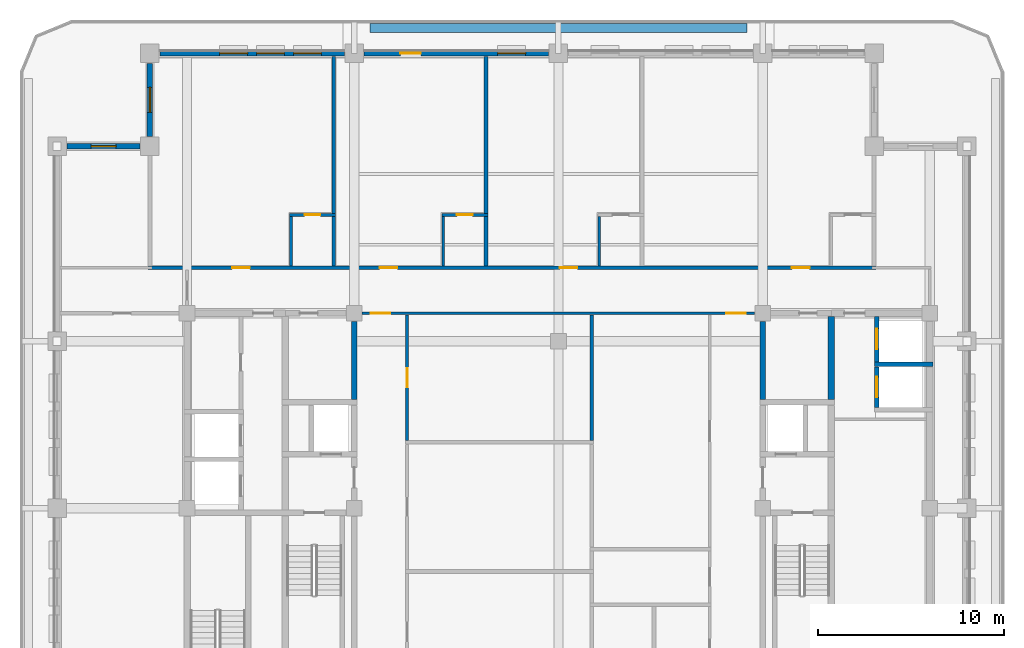
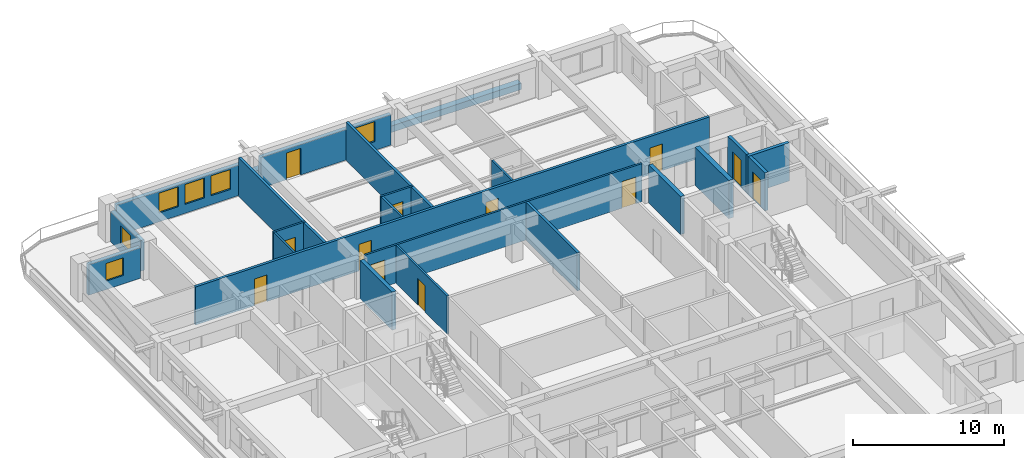
# One storey, part 6 of 14: 24 walls, 12 doors, 6 windows, 18 openings.
"""IFC4 building model written with IfcOpenShell, lengths in metres."""

from ifc_helpers import new_model, si_unit, direction, frame, frame_2d, origin, place, context, subcontext, project, spatial, rectangle, extrude, material, layer, layer_set, type_object, element, fill, save


model = new_model("IFC4")

# Units and contexts
model_context = context("Model", 3, precision=1e-05, world=origin(), true_north=direction((0.0, 1.0)))
body_context = subcontext(model_context, "Body", "Model", "MODEL_VIEW")
ifc_project = project(units=[si_unit("LENGTHUNIT", "METRE"), si_unit("AREAUNIT", "SQUARE_METRE"), si_unit("VOLUMEUNIT", "CUBIC_METRE"), si_unit("PLANEANGLEUNIT", "RADIAN"), si_unit("MASSUNIT", "GRAM", prefix="KILO")], contexts=[model_context])

# Site, building, storey
site_placement = place(None, origin())
site = spatial("IfcSite", under=ifc_project, at=site_placement, CompositionType="ELEMENT")
building_placement = place(site_placement, origin())
building = spatial("IfcBuilding", under=site, at=building_placement, Name="Zulmaris Gate Convention Tower", CompositionType="ELEMENT")
storey_placement = place(building_placement, frame((0.0, 0.0, 208.4599609375)))
storey = spatial("IfcBuildingStorey", under=building, at=storey_placement, Name="L54", CompositionType="ELEMENT", Elevation=208.4599609375)

# Wall
ifc_material_1 = material(Name="Concrete C50/60", Category="concrete")
ifc_layer_1 = layer(ifc_material_1, 0.25, Name="Concrete C50/60")
ifc_layer_set_1 = layer_set([ifc_layer_1], Name="Concrete C50/60")
wall_type_1 = type_object("IfcWallType", Name="CORE-250", PredefinedType="SOLIDWALL", material=ifc_layer_set_1)
wall_1_placement = place(storey_placement, frame((17.02490234375, 7.75, 0.0), z_axis=(0.0, 0.0, 1.0), x_axis=(1.0, 0.0, 0.0)))
element("IfcWall", 1, at=wall_1_placement, inside=storey, type_object=wall_type_1, Name="WL-L54-014", PredefinedType="SOLIDWALL", context=body_context, shape_type="SweptSolid", body=[
    extrude(rectangle(XDim=3.150146484375, YDim=0.25, at=frame_2d((1.5751953125, 0.0))), origin(), (0.0, 0.0, 1.0), 3.074951171875),
])

# Wall, opening, door
wall_2_placement = place(storey_placement, frame((17.14990234375, 5.427001953125, 0.0), z_axis=(0.0, 0.0, 1.0), x_axis=(0.0, 1.0, 0.0)))
wall_2 = element("IfcWall", 2, at=wall_2_placement, inside=storey, type_object=wall_type_1, Name="WL-L54-069", PredefinedType="SOLIDWALL", context=body_context, shape_type="SweptSolid", body=[
    extrude(rectangle(XDim=2.196044921875, YDim=0.25, at=frame_2d((1.09814453125, 0.0))), origin(), (0.0, 0.0, 1.0), 3.074951171875),
])
opening_1_placement = place(wall_2_placement, frame((0.548095703125, 0.0, 0.0)))
opening_1 = element("IfcOpeningElement", 3, at=opening_1_placement, cuts=wall_2, Name="Opening D-06", PredefinedType="OPENING", context=body_context, shape_type="SweptSolid", body=[
    extrude(rectangle(XDim=1.10009765625, YDim=2.199951171875, at=frame_2d((0.550048828125, 1.10009765625))), frame((0.0, 0.135009765625, 0.0), z_axis=(0.0, -1.0, 0.0), x_axis=(1.0, 0.0, 0.0)), (0.0, 0.0, 1.0), 0.27001953125),
])
ifc_material_2 = material(Name="Brushed Stainless Steel", Category="steel")
door_type_1 = type_object("IfcDoorType", Name="LD-1100", OperationType="NOTDEFINED", PredefinedType="DOOR", material=ifc_material_2)
door_1_placement = place(opening_1_placement, origin())
door_1 = element("IfcDoor", 4, at=door_1_placement, inside=storey, type_object=door_type_1, Name="L54 Lift Landing Door HP-01 14", OperationType="SLIDING_TO_RIGHT", OverallHeight=2.199951171875, OverallWidth=1.10009765625, PredefinedType="DOOR", context=body_context, shape_type="SweptSolid", body=[
    extrude(rectangle(XDim=1.10009765625, YDim=2.199951171875, at=frame_2d((0.550048828125, 1.10009765625))), frame((0.0, 0.02490234375, 0.0), z_axis=(0.0, -1.0, 0.0), x_axis=(1.0, 0.0, 0.0)), (0.0, 0.0, 1.0), 0.050048828125),
])
fill(opening_1, door_1)

wall_3_placement = place(storey_placement, frame((17.14990234375, 7.876953125, 0.0), z_axis=(0.0, 0.0, 1.0), x_axis=(0.0, 1.0, 0.0)))
wall_3 = element("IfcWall", 5, at=wall_3_placement, inside=storey, type_object=wall_type_1, Name="WL-L54-070", PredefinedType="SOLIDWALL", context=body_context, shape_type="SweptSolid", body=[
    extrude(rectangle(XDim=2.446044921875, YDim=0.25, at=frame_2d((1.22314453125, 0.0))), origin(), (0.0, 0.0, 1.0), 3.074951171875),
])
opening_2_placement = place(wall_3_placement, frame((0.697998046875, 0.0, 0.0)))
opening_2 = element("IfcOpeningElement", 6, at=opening_2_placement, cuts=wall_3, Name="Opening D-06", PredefinedType="OPENING", context=body_context, shape_type="SweptSolid", body=[
    extrude(rectangle(XDim=1.10009765625, YDim=2.199951171875, at=frame_2d((0.550048828125, 1.10009765625))), frame((0.0, 0.135009765625, 0.0), z_axis=(0.0, -1.0, 0.0), x_axis=(1.0, 0.0, 0.0)), (0.0, 0.0, 1.0), 0.27001953125),
])
door_2_placement = place(opening_2_placement, origin())
door_2 = element("IfcDoor", 7, at=door_2_placement, inside=storey, type_object=door_type_1, Name="L54 Lift Landing Door HP-02 15", OperationType="SLIDING_TO_RIGHT", OverallHeight=2.199951171875, OverallWidth=1.10009765625, PredefinedType="DOOR", context=body_context, shape_type="SweptSolid", body=[
    extrude(rectangle(XDim=1.10009765625, YDim=2.199951171875, at=frame_2d((0.550048828125, 1.10009765625))), frame((0.0, 0.02490234375, 0.0), z_axis=(0.0, -1.0, 0.0), x_axis=(1.0, 0.0, 0.0)), (0.0, 0.0, 1.0), 0.050048828125),
])
fill(opening_2, door_2)

# Walls
ifc_layer_2 = layer(ifc_material_1, 0.300048828125, Name="Concrete C50/60")
ifc_layer_set_2 = layer_set([ifc_layer_2], Name="Concrete C50/60")
wall_type_2 = type_object("IfcWallType", Name="CORE-300", PredefinedType="SHEAR", material=ifc_layer_set_2)
for number, where, z_axis, x_axis, name in (
    (8, (-11.0, 5.85205078125, 0.0), (0.0, 0.0, 1.0), (0.0, 1.0, 0.0), "WL-L54-058"),
    (9, (11.0, 5.85205078125, 0.0), (0.0, 0.0, 1.0), (0.0, 1.0, 0.0), "WL-L54-062"),
):
    element("IfcWall", number, at=place(storey_placement, frame(where, z_axis=z_axis, x_axis=x_axis)), inside=storey, type_object=wall_type_2, Name=name, PredefinedType="SHEAR", context=body_context, shape_type="SweptSolid", body=[
        extrude(rectangle(XDim=4.218994140625, YDim=0.300048828125, at=frame_2d((2.109375, 0.0))), origin(), (0.0, 0.0, 1.0), 3.074951171875),
    ])
ifc_material_3 = material(Name="Concrete C55/67", Category="concrete")
ifc_layer_3 = layer(ifc_material_3, 0.35009765625, Name="Concrete C55/67")
ifc_layer_set_3 = layer_set([ifc_layer_3], Name="Concrete C55/67")
wall_type_3 = type_object("IfcWallType", Name="CORE-350", PredefinedType="SHEAR", material=ifc_layer_set_3)
wall_4_placement = place(storey_placement, frame((14.699951171875, 5.85205078125, 0.0), z_axis=(0.0, 0.0, 1.0), x_axis=(0.0, 1.0, 0.0)))
element("IfcWall", 10, at=wall_4_placement, inside=storey, type_object=wall_type_3, Name="WL-L54-068", PredefinedType="SHEAR", context=body_context, shape_type="SweptSolid", body=[
    extrude(rectangle(XDim=4.470947265625, YDim=0.35009765625, at=frame_2d((2.2353515625, 0.0))), origin(), (0.0, 0.0, 1.0), 3.074951171875),
])

# Wall, openings, doors
ifc_material_4 = material(Name="Gypsum Metal Stud Partition")
ifc_layer_4 = layer(ifc_material_4, 0.14990234375, Name="Gypsum Metal Stud Partition")
ifc_layer_set_4 = layer_set([ifc_layer_4], Name="Gypsum Metal Stud Partition")
wall_type_4 = type_object("IfcWallType", Name="PART-150", PredefinedType="PARTITIONING", material=ifc_layer_set_4)
wall_5_placement = place(storey_placement, frame((-10.569091796875, 10.5, 0.0), z_axis=(0.0, 0.0, 1.0), x_axis=(1.0, 0.0, 0.0)))
wall_5 = element("IfcWall", 11, at=wall_5_placement, inside=storey, type_object=wall_type_4, Name="WL-L54-034", PredefinedType="PARTITIONING", context=body_context, shape_type="SweptSolid", body=[
    extrude(rectangle(XDim=21.13818359375, YDim=0.14990234375, at=frame_2d((10.569091796875, 0.0))), origin(), (0.0, 0.0, 1.0), 3.074951171875),
])
opening_3_placement = place(wall_5_placement, frame((0.47412109375, 0.0, 0.0)))
opening_3 = element("IfcOpeningElement", 12, at=opening_3_placement, cuts=wall_5, Name="Opening D-09", PredefinedType="OPENING", context=body_context, shape_type="SweptSolid", body=[
    extrude(rectangle(XDim=1.050048828125, YDim=2.14990234375, at=frame_2d((0.52490234375, 1.074951171875))), frame((0.0, 0.0849609375, 0.0), z_axis=(0.0, -1.0, 0.0), x_axis=(1.0, 0.0, 0.0)), (0.0, 0.0, 1.0), 0.169921875),
])
opening_4_placement = place(wall_5_placement, frame((19.614013671875, 0.0, 0.0)))
opening_4 = element("IfcOpeningElement", 13, at=opening_4_placement, cuts=wall_5, Name="Opening D-09", PredefinedType="OPENING", context=body_context, shape_type="SweptSolid", body=[
    extrude(rectangle(XDim=1.050048828125, YDim=2.14990234375, at=frame_2d((0.52490234375, 1.074951171875))), frame((0.0, 0.0849609375, 0.0), z_axis=(0.0, -1.0, 0.0), x_axis=(1.0, 0.0, 0.0)), (0.0, 0.0, 1.0), 0.169921875),
])
ifc_material_5 = material(Name="Fire-Rated Steel", Category="steel")
door_type_2 = type_object("IfcDoorType", Name="DR-1050-FD", OperationType="NOTDEFINED", PredefinedType="DOOR", material=ifc_material_5)
door_3_placement = place(opening_3_placement, origin())
door_3 = element("IfcDoor", 14, at=door_3_placement, inside=storey, type_object=door_type_2, Name="L54 NW Hotel Loop Door 18", OperationType="SINGLE_SWING_LEFT", OverallHeight=2.14990234375, OverallWidth=1.050048828125, PredefinedType="DOOR", context=body_context, shape_type="SweptSolid", body=[
    extrude(rectangle(XDim=1.050048828125, YDim=2.14990234375, at=frame_2d((0.52490234375, 1.074951171875))), frame((0.0, 0.02490234375, 0.0), z_axis=(0.0, -1.0, 0.0), x_axis=(1.0, 0.0, 0.0)), (0.0, 0.0, 1.0), 0.050048828125),
])
fill(opening_3, door_3)
door_4_placement = place(opening_4_placement, origin())
door_4 = element("IfcDoor", 15, at=door_4_placement, inside=storey, type_object=door_type_2, Name="L54 NE Hotel Loop Door 20", OperationType="SINGLE_SWING_LEFT", OverallHeight=2.14990234375, OverallWidth=1.050048828125, PredefinedType="DOOR", context=body_context, shape_type="SweptSolid", body=[
    extrude(rectangle(XDim=1.050048828125, YDim=2.14990234375, at=frame_2d((0.52490234375, 1.074951171875))), frame((0.0, 0.02490234375, 0.0), z_axis=(0.0, -1.0, 0.0), x_axis=(1.0, 0.0, 0.0)), (0.0, 0.0, 1.0), 0.050048828125),
])
fill(opening_4, door_4)

# Wall, opening, door
wall_6_placement = place(storey_placement, frame((-14.47509765625, 15.800048828125, 0.0), z_axis=(0.0, 0.0, 1.0), x_axis=(1.0, 0.0, 0.0)))
wall_6 = element("IfcWall", 16, at=wall_6_placement, inside=storey, type_object=wall_type_4, Name="WL-L54-038", PredefinedType="PARTITIONING", context=body_context, shape_type="SweptSolid", body=[
    extrude(rectangle(XDim=2.47509765625, YDim=0.14990234375, at=frame_2d((1.237548828125, 0.0))), origin(), (0.0, 0.0, 1.0), 3.074951171875),
])
opening_5_placement = place(wall_6_placement, frame((0.800048828125, 0.0, 0.0)))
opening_5 = element("IfcOpeningElement", 17, at=opening_5_placement, cuts=wall_6, Name="Opening D-17", PredefinedType="OPENING", context=body_context, shape_type="SweptSolid", body=[
    extrude(rectangle(XDim=0.85009765625, YDim=2.10009765625, at=frame_2d((0.425048828125, 1.050048828125))), frame((0.0, 0.0849609375, 0.0), z_axis=(0.0, -1.0, 0.0), x_axis=(1.0, 0.0, 0.0)), (0.0, 0.0, 1.0), 0.169921875),
])
ifc_material_6 = material(Name="Moisture-Resistant Hardwood Timber", Category="wood")
door_type_3 = type_object("IfcDoorType", Name="DR-850", OperationType="NOTDEFINED", PredefinedType="DOOR", material=ifc_material_6)
door_5_placement = place(opening_5_placement, origin())
door_5 = element("IfcDoor", 18, at=door_5_placement, inside=storey, type_object=door_type_3, Name="L54 En-Suite Door 23", OperationType="SINGLE_SWING_RIGHT", OverallHeight=2.10009765625, OverallWidth=0.85009765625, PredefinedType="DOOR", context=body_context, shape_type="SweptSolid", body=[
    extrude(rectangle(XDim=0.85009765625, YDim=2.10009765625, at=frame_2d((0.425048828125, 1.050048828125))), frame((0.0, 0.02490234375, 0.0), z_axis=(0.0, -1.0, 0.0), x_axis=(1.0, 0.0, 0.0)), (0.0, 0.0, 1.0), 0.050048828125),
])
fill(opening_5, door_5)

wall_7_placement = place(storey_placement, frame((-6.27490234375, 15.800048828125, 0.0), z_axis=(0.0, 0.0, 1.0), x_axis=(1.0, 0.0, 0.0)))
wall_7 = element("IfcWall", 19, at=wall_7_placement, inside=storey, type_object=wall_type_4, Name="WL-L54-039", PredefinedType="PARTITIONING", context=body_context, shape_type="SweptSolid", body=[
    extrude(rectangle(XDim=2.474853515625, YDim=0.14990234375, at=frame_2d((1.2373046875, 0.0))), origin(), (0.0, 0.0, 1.0), 3.074951171875),
])
opening_6_placement = place(wall_7_placement, frame((0.800048828125, 0.0, 0.0)))
opening_6 = element("IfcOpeningElement", 20, at=opening_6_placement, cuts=wall_7, Name="Opening D-17", PredefinedType="OPENING", context=body_context, shape_type="SweptSolid", body=[
    extrude(rectangle(XDim=0.85009765625, YDim=2.10009765625, at=frame_2d((0.425048828125, 1.050048828125))), frame((0.0, 0.0849609375, 0.0), z_axis=(0.0, -1.0, 0.0), x_axis=(1.0, 0.0, 0.0)), (0.0, 0.0, 1.0), 0.169921875),
])
door_6_placement = place(opening_6_placement, origin())
door_6 = element("IfcDoor", 21, at=door_6_placement, inside=storey, type_object=door_type_3, Name="L54 En-Suite Door 25", OperationType="SINGLE_SWING_RIGHT", OverallHeight=2.10009765625, OverallWidth=0.85009765625, PredefinedType="DOOR", context=body_context, shape_type="SweptSolid", body=[
    extrude(rectangle(XDim=0.85009765625, YDim=2.10009765625, at=frame_2d((0.425048828125, 1.050048828125))), frame((0.0, 0.02490234375, 0.0), z_axis=(0.0, -1.0, 0.0), x_axis=(1.0, 0.0, 0.0)), (0.0, 0.0, 1.0), 0.050048828125),
])
fill(opening_6, door_6)

# Wall
wall_8_placement = place(storey_placement, frame((-14.39990234375, 13.052978515625, 0.0), z_axis=(0.0, 0.0, 1.0), x_axis=(0.0, 1.0, 0.0)))
element("IfcWall", 22, at=wall_8_placement, inside=storey, type_object=wall_type_4, Name="WL-L54-083", PredefinedType="PARTITIONING", context=body_context, shape_type="SweptSolid", body=[
    extrude(rectangle(XDim=2.6689453125, YDim=0.14990234375, at=frame_2d((1.33447265625, 0.0))), origin(), (0.0, 0.0, 1.0), 3.074951171875),
])

# Wall, opening, door
wall_9_placement = place(storey_placement, frame((-8.14990234375, 3.653076171875, 0.0), z_axis=(0.0, 0.0, 1.0), x_axis=(0.0, 1.0, 0.0)))
wall_9 = element("IfcWall", 23, at=wall_9_placement, inside=storey, type_object=wall_type_4, Name="WL-L54-091", PredefinedType="PARTITIONING", context=body_context, shape_type="SweptSolid", body=[
    extrude(rectangle(XDim=6.76904296875, YDim=0.14990234375, at=frame_2d((3.384521484375, 0.0))), origin(), (0.0, 0.0, 1.0), 3.074951171875),
])
opening_7_placement = place(wall_9_placement, frame((2.876953125, 0.0, 0.0)))
opening_7 = element("IfcOpeningElement", 24, at=opening_7_placement, cuts=wall_9, Name="Opening D-10", PredefinedType="OPENING", context=body_context, shape_type="SweptSolid", body=[
    extrude(rectangle(XDim=1.0, YDim=2.14990234375, at=frame_2d((0.5, 1.074951171875))), frame((0.0, 0.0849609375, 0.0), z_axis=(0.0, -1.0, 0.0), x_axis=(1.0, 0.0, 0.0)), (0.0, 0.0, 1.0), 0.169921875),
])
ifc_material_7 = material(Name="Fire-Rated Timber", Category="wood")
door_type_4 = type_object("IfcDoorType", Name="DR-1000-FD", OperationType="NOTDEFINED", PredefinedType="DOOR", material=ifc_material_7)
door_7_placement = place(opening_7_placement, origin())
door_7 = element("IfcDoor", 25, at=door_7_placement, inside=storey, type_object=door_type_4, Name="L54 Club Lounge Door 41", OperationType="SINGLE_SWING_RIGHT", OverallHeight=2.14990234375, OverallWidth=1.0, PredefinedType="DOOR", context=body_context, shape_type="SweptSolid", body=[
    extrude(rectangle(XDim=1.0, YDim=2.14990234375, at=frame_2d((0.5, 1.074951171875))), frame((0.0, 0.02490234375, 0.0), z_axis=(0.0, -1.0, 0.0), x_axis=(1.0, 0.0, 0.0)), (0.0, 0.0, 1.0), 0.050048828125),
])
fill(opening_7, door_7)

# Walls
for number, where, z_axis, x_axis, name in (
    (26, (-6.199951171875, 13.052978515625, 0.0), (0.0, 0.0, 1.0), (0.0, 1.0, 0.0), "WL-L54-093"),
    (27, (2.199951171875, 13.052978515625, 0.0), (0.0, 0.0, 1.0), (0.0, 1.0, 0.0), "WL-L54-104"),
):
    element("IfcWall", number, at=place(storey_placement, frame(where, z_axis=z_axis, x_axis=x_axis)), inside=storey, type_object=wall_type_4, Name=name, PredefinedType="PARTITIONING", context=body_context, shape_type="SweptSolid", body=[
        extrude(rectangle(XDim=2.6689453125, YDim=0.14990234375, at=frame_2d((1.33447265625, 0.0))), origin(), (0.0, 0.0, 1.0), 3.074951171875),
    ])

# Wall, openings, doors
ifc_material_8 = material(Name="Autoclaved Aerated Concrete Block and Plasterboard", Category="concrete")
ifc_layer_5 = layer(ifc_material_8, 0.199951171875, Name="Autoclaved Aerated Concrete Block and Plasterboard")
ifc_layer_set_5 = layer_set([ifc_layer_5], Name="Autoclaved Aerated Concrete Block and Plasterboard")
wall_type_5 = type_object("IfcWallType", Name="PART-200", PredefinedType="PARTITIONING", material=ifc_layer_set_5)
wall_10_placement = place(storey_placement, frame((-22.10009765625, 12.949951171875, 0.0), z_axis=(0.0, 0.0, 1.0), x_axis=(1.0, 0.0, 0.0)))
wall_10 = element("IfcWall", 28, at=wall_10_placement, inside=storey, type_object=wall_type_5, Name="WL-L54-036", PredefinedType="PARTITIONING", context=body_context, shape_type="SweptSolid", body=[
    extrude(rectangle(XDim=39.2001953125, YDim=0.199951171875, at=frame_2d((19.60009765625, 0.0))), origin(), (0.0, 0.0, 1.0), 3.074951171875),
])
opening_8_placement = place(wall_10_placement, frame((4.52490234375, 0.0, 0.0)))
opening_8 = element("IfcOpeningElement", 29, at=opening_8_placement, cuts=wall_10, Name="Opening D-11", PredefinedType="OPENING", context=body_context, shape_type="SweptSolid", body=[
    extrude(rectangle(XDim=0.949951171875, YDim=2.14990234375, at=frame_2d((0.47509765625, 1.074951171875))), frame((0.0, 0.10986328125, 0.0), z_axis=(0.0, -1.0, 0.0), x_axis=(1.0, 0.0, 0.0)), (0.0, 0.0, 1.0), 0.219970703125),
])
opening_9_placement = place(wall_10_placement, frame((12.47509765625, 0.0, 0.0)))
opening_9 = element("IfcOpeningElement", 30, at=opening_9_placement, cuts=wall_10, Name="Opening D-11", PredefinedType="OPENING", context=body_context, shape_type="SweptSolid", body=[
    extrude(rectangle(XDim=0.949951171875, YDim=2.14990234375, at=frame_2d((0.47509765625, 1.074951171875))), frame((0.0, 0.10986328125, 0.0), z_axis=(0.0, -1.0, 0.0), x_axis=(1.0, 0.0, 0.0)), (0.0, 0.0, 1.0), 0.219970703125),
])
opening_10_placement = place(wall_10_placement, frame((22.175048828125, 0.0, 0.0)))
opening_10 = element("IfcOpeningElement", 31, at=opening_10_placement, cuts=wall_10, Name="Opening D-11", PredefinedType="OPENING", context=body_context, shape_type="SweptSolid", body=[
    extrude(rectangle(XDim=0.949951171875, YDim=2.14990234375, at=frame_2d((0.47509765625, 1.074951171875))), frame((0.0, 0.10986328125, 0.0), z_axis=(0.0, -1.0, 0.0), x_axis=(1.0, 0.0, 0.0)), (0.0, 0.0, 1.0), 0.219970703125),
])
opening_11_placement = place(wall_10_placement, frame((34.675048828125, 0.0, 0.0)))
opening_11 = element("IfcOpeningElement", 32, at=opening_11_placement, cuts=wall_10, Name="Opening D-11", PredefinedType="OPENING", context=body_context, shape_type="SweptSolid", body=[
    extrude(rectangle(XDim=0.949951171875, YDim=2.14990234375, at=frame_2d((0.47509765625, 1.074951171875))), frame((0.0, 0.10986328125, 0.0), z_axis=(0.0, -1.0, 0.0), x_axis=(1.0, 0.0, 0.0)), (0.0, 0.0, 1.0), 0.219970703125),
])
door_type_5 = type_object("IfcDoorType", Name="DR-950-FD", OperationType="NOTDEFINED", PredefinedType="DOOR", material=ifc_material_7)
door_8_placement = place(opening_8_placement, origin())
door_8 = element("IfcDoor", 33, at=door_8_placement, inside=storey, type_object=door_type_5, Name="L54 Hotel Diplomatic Suite Door 22", OperationType="SINGLE_SWING_LEFT", OverallHeight=2.14990234375, OverallWidth=0.949951171875, PredefinedType="DOOR", context=body_context, shape_type="SweptSolid", body=[
    extrude(rectangle(XDim=0.949951171875, YDim=2.14990234375, at=frame_2d((0.47509765625, 1.074951171875))), frame((0.0, 0.02490234375, 0.0), z_axis=(0.0, -1.0, 0.0), x_axis=(1.0, 0.0, 0.0)), (0.0, 0.0, 1.0), 0.050048828125),
])
fill(opening_8, door_8)
door_9_placement = place(opening_9_placement, origin())
door_9 = element("IfcDoor", 34, at=door_9_placement, inside=storey, type_object=door_type_5, Name="L54 Hotel Diplomatic Suite Door 24", OperationType="SINGLE_SWING_LEFT", OverallHeight=2.14990234375, OverallWidth=0.949951171875, PredefinedType="DOOR", context=body_context, shape_type="SweptSolid", body=[
    extrude(rectangle(XDim=0.949951171875, YDim=2.14990234375, at=frame_2d((0.47509765625, 1.074951171875))), frame((0.0, 0.02490234375, 0.0), z_axis=(0.0, -1.0, 0.0), x_axis=(1.0, 0.0, 0.0)), (0.0, 0.0, 1.0), 0.050048828125),
])
fill(opening_9, door_9)
door_10_placement = place(opening_10_placement, origin())
door_10 = element("IfcDoor", 35, at=door_10_placement, inside=storey, type_object=door_type_5, Name="L54 Hotel Diplomatic Suite Door 26", OperationType="SINGLE_SWING_LEFT", OverallHeight=2.14990234375, OverallWidth=0.949951171875, PredefinedType="DOOR", context=body_context, shape_type="SweptSolid", body=[
    extrude(rectangle(XDim=0.949951171875, YDim=2.14990234375, at=frame_2d((0.47509765625, 1.074951171875))), frame((0.0, 0.02490234375, 0.0), z_axis=(0.0, -1.0, 0.0), x_axis=(1.0, 0.0, 0.0)), (0.0, 0.0, 1.0), 0.050048828125),
])
fill(opening_10, door_10)
door_11_placement = place(opening_11_placement, origin())
door_11 = element("IfcDoor", 36, at=door_11_placement, inside=storey, type_object=door_type_5, Name="L54 Hotel Diplomatic Suite Door 28", OperationType="SINGLE_SWING_LEFT", OverallHeight=2.14990234375, OverallWidth=0.949951171875, PredefinedType="DOOR", context=body_context, shape_type="SweptSolid", body=[
    extrude(rectangle(XDim=0.949951171875, YDim=2.14990234375, at=frame_2d((0.47509765625, 1.074951171875))), frame((0.0, 0.02490234375, 0.0), z_axis=(0.0, -1.0, 0.0), x_axis=(1.0, 0.0, 0.0)), (0.0, 0.0, 1.0), 0.050048828125),
])
fill(opening_11, door_11)

# Walls
wall_11_placement = place(storey_placement, frame((-12.10009765625, 13.052978515625, 0.0), z_axis=(0.0, 0.0, 1.0), x_axis=(0.0, 1.0, 0.0)))
element("IfcWall", 37, at=wall_11_placement, inside=storey, type_object=wall_type_5, Name="WL-L54-085", PredefinedType="PARTITIONING", context=body_context, shape_type="SweptSolid", body=[
    extrude(rectangle(XDim=2.6689453125, YDim=0.199951171875, at=frame_2d((1.33447265625, 0.0))), origin(), (0.0, 0.0, 1.0), 3.074951171875),
])
wall_12_placement = place(storey_placement, frame((-12.10009765625, 15.8779296875, 0.0), z_axis=(0.0, 0.0, 1.0), x_axis=(0.0, 1.0, 0.0)))
element("IfcWall", 38, at=wall_12_placement, inside=storey, type_object=wall_type_5, Name="WL-L54-086", PredefinedType="PARTITIONING", context=body_context, shape_type="SweptSolid", body=[
    extrude(rectangle(XDim=8.45703125, YDim=0.199951171875, at=frame_2d((4.228515625, 0.0))), origin(), (0.0, 0.0, 1.0), 3.074951171875),
])
wall_13_placement = place(storey_placement, frame((-3.89990234375, 13.052978515625, 0.0), z_axis=(0.0, 0.0, 1.0), x_axis=(0.0, 1.0, 0.0)))
element("IfcWall", 39, at=wall_13_placement, inside=storey, type_object=wall_type_5, Name="WL-L54-094", PredefinedType="PARTITIONING", context=body_context, shape_type="SweptSolid", body=[
    extrude(rectangle(XDim=2.6689453125, YDim=0.199951171875, at=frame_2d((1.33447265625, 0.0))), origin(), (0.0, 0.0, 1.0), 3.074951171875),
])
wall_14_placement = place(storey_placement, frame((-3.89990234375, 15.8779296875, 0.0), z_axis=(0.0, 0.0, 1.0), x_axis=(0.0, 1.0, 0.0)))
element("IfcWall", 40, at=wall_14_placement, inside=storey, type_object=wall_type_5, Name="WL-L54-095", PredefinedType="PARTITIONING", context=body_context, shape_type="SweptSolid", body=[
    extrude(rectangle(XDim=8.45703125, YDim=0.199951171875, at=frame_2d((4.228515625, 0.0))), origin(), (0.0, 0.0, 1.0), 3.074951171875),
])
wall_15_placement = place(storey_placement, frame((1.800048828125, 3.653076171875, 0.0), z_axis=(0.0, 0.0, 1.0), x_axis=(0.0, 1.0, 0.0)))
element("IfcWall", 41, at=wall_15_placement, inside=storey, type_object=wall_type_5, Name="WL-L54-103", PredefinedType="PARTITIONING", context=body_context, shape_type="SweptSolid", body=[
    extrude(rectangle(XDim=6.76904296875, YDim=0.199951171875, at=frame_2d((3.384521484375, 0.0))), origin(), (0.0, 0.0, 1.0), 3.074951171875),
])
ifc_material_9 = material(Name="Botanical Green Glazed Precast Concrete C40/50", Category="concrete")
ifc_layer_6 = layer(ifc_material_9, 0.419921875, Name="Botanical Green Glazed Precast Concrete C40/50")
ifc_layer_set_6 = layer_set([ifc_layer_6], Name="Botanical Green Glazed Precast Concrete C40/50")
wall_type_6 = type_object("IfcWallType", Name="PLANTER-CURB-200", PredefinedType="PARAPET", material=ifc_layer_set_6)
wall_16_placement = place(storey_placement, frame((-10.14990234375, 25.8798828125, -0.0400390625), z_axis=(0.0, 0.0, 1.0), x_axis=(1.0, 0.0, 0.0)))
element("IfcWall", 42, at=wall_16_placement, inside=storey, type_object=wall_type_6, Name="L54 Full-Length Balcony Tree Planter Trough", PredefinedType="PARAPET", context=body_context, shape_type="SweptSolid", body=[
    extrude(rectangle(XDim=20.2998046875, YDim=0.47998046875, at=frame_2d((10.14990234375, 0.0))), origin(), (0.0, 0.0, 1.0), 0.52001953125),
])

# Wall, opening, window
ifc_material_10 = material(Name="Precast concrete C40/50", Category="concrete")
ifc_layer_7 = layer(ifc_material_10, 0.300048828125, Name="Precast concrete C40/50")
ifc_layer_set_7 = layer_set([ifc_layer_7], Name="Precast concrete C40/50")
wall_type_7 = type_object("IfcWallType", Name="PRECAST-PIER-300", PredefinedType="STANDARD", material=ifc_layer_set_7)
wall_17_placement = place(storey_placement, frame((-22.0, 23.969970703125, 0.0), z_axis=(0.0, 0.0, 1.0), x_axis=(0.0, -1.0, 0.0)))
wall_17 = element("IfcWall", 43, at=wall_17_placement, inside=storey, type_object=wall_type_7, Name="EW-L54-NOTCH-NW1_0", PredefinedType="STANDARD", context=body_context, shape_type="SweptSolid", body=[
    extrude(rectangle(XDim=3.93994140625, YDim=0.300048828125, at=frame_2d((1.969970703125, 0.0))), origin(), (0.0, 0.0, 1.0), 2.467041015625),
])
opening_12_placement = place(wall_17_placement, frame((1.294921875, 0.0, 0.679931640625)))
opening_12 = element("IfcOpeningElement", 44, at=opening_12_placement, cuts=wall_17, Name="Opening W-10", PredefinedType="OPENING", context=body_context, shape_type="SweptSolid", body=[
    extrude(rectangle(XDim=1.35009765625, YDim=1.419921875, at=frame_2d((0.675048828125, 0.7099609375))), frame((0.0, 0.16015625, 0.0), z_axis=(0.0, -1.0, 0.0), x_axis=(1.0, 0.0, 0.0)), (0.0, 0.0, 1.0), 0.320068359375),
])
ifc_material_11 = material(Name="Low-E Laminated Double Glazing in Aluminium Frame", Category="aluminium")
window_type_1 = type_object("IfcWindowType", Name="WIN-1350x2000", PartitioningType="SINGLE_PANEL", PredefinedType="WINDOW", material=ifc_material_11)
window_1_placement = place(opening_12_placement, origin())
window_1 = element("IfcWindow", 45, at=window_1_placement, inside=storey, type_object=window_type_1, Name="WN-EW-L54-NOTCH-NW1_0", OverallHeight=1.419921875, OverallWidth=1.35009765625, PartitioningType="SINGLE_PANEL", PredefinedType="WINDOW", context=body_context, shape_type="SweptSolid", body=[
    extrude(rectangle(XDim=1.35009765625, YDim=1.419921875, at=frame_2d((0.675048828125, 0.7099609375))), frame((0.0, 0.030029296875, 0.0), z_axis=(0.0, -1.0, 0.0), x_axis=(1.0, 0.0, 0.0)), (0.0, 0.0, 1.0), 0.06005859375),
])
fill(opening_12, window_1)

wall_18_placement = place(storey_placement, frame((-22.530029296875, 19.5, 0.0), z_axis=(0.0, 0.0, 1.0), x_axis=(-1.0, 0.0, 0.0)))
wall_18 = element("IfcWall", 46, at=wall_18_placement, inside=storey, type_object=wall_type_7, Name="EW-L54-NOTCH-NW2_0", PredefinedType="STANDARD", context=body_context, shape_type="SweptSolid", body=[
    extrude(rectangle(XDim=3.93994140625, YDim=0.300048828125, at=frame_2d((1.969970703125, 0.0))), origin(), (0.0, 0.0, 1.0), 2.467041015625),
])
opening_13_placement = place(wall_18_placement, frame((1.294921875, 0.0, 0.679931640625)))
opening_13 = element("IfcOpeningElement", 47, at=opening_13_placement, cuts=wall_18, Name="Opening W-10", PredefinedType="OPENING", context=body_context, shape_type="SweptSolid", body=[
    extrude(rectangle(XDim=1.35009765625, YDim=1.419921875, at=frame_2d((0.675048828125, 0.7099609375))), frame((0.0, 0.16015625, 0.0), z_axis=(0.0, -1.0, 0.0), x_axis=(1.0, 0.0, 0.0)), (0.0, 0.0, 1.0), 0.320068359375),
])
window_2_placement = place(opening_13_placement, origin())
window_2 = element("IfcWindow", 48, at=window_2_placement, inside=storey, type_object=window_type_1, Name="WN-EW-L54-NOTCH-NW2_0", OverallHeight=1.419921875, OverallWidth=1.35009765625, PartitioningType="SINGLE_PANEL", PredefinedType="WINDOW", context=body_context, shape_type="SweptSolid", body=[
    extrude(rectangle(XDim=1.35009765625, YDim=1.419921875, at=frame_2d((0.675048828125, 0.7099609375))), frame((0.0, 0.030029296875, 0.0), z_axis=(0.0, -1.0, 0.0), x_axis=(1.0, 0.0, 0.0)), (0.0, 0.0, 1.0), 0.06005859375),
])
fill(opening_13, window_2)

# Wall, openings, windows
wall_19_placement = place(storey_placement, frame((-11.530029296875, 24.5, 0.0), z_axis=(0.0, 0.0, 1.0), x_axis=(-1.0, 0.0, 0.0)))
wall_19 = element("IfcWall", 49, at=wall_19_placement, inside=storey, type_object=wall_type_7, Name="EW-L54-N-0_0", PredefinedType="STANDARD", context=body_context, shape_type="SweptSolid", body=[
    extrude(rectangle(XDim=9.93994140625, YDim=0.300048828125, at=frame_2d((4.969970703125, 0.0))), origin(), (0.0, 0.0, 1.0), 2.467041015625),
])
opening_14_placement = place(wall_19_placement, frame((1.238037109375, 0.0, 0.719970703125)))
opening_14 = element("IfcOpeningElement", 50, at=opening_14_placement, cuts=wall_19, Name="Opening W-03", PredefinedType="OPENING", context=body_context, shape_type="SweptSolid", body=[
    extrude(rectangle(XDim=1.5, YDim=1.60009765625, at=frame_2d((0.75, 0.800048828125))), frame((0.0, 0.16015625, 0.0), z_axis=(0.0, -1.0, 0.0), x_axis=(1.0, 0.0, 0.0)), (0.0, 0.0, 1.0), 0.320068359375),
])
opening_15_placement = place(wall_19_placement, frame((3.22607421875, 0.0, 0.719970703125)))
opening_15 = element("IfcOpeningElement", 51, at=opening_15_placement, cuts=wall_19, Name="Opening W-03", PredefinedType="OPENING", context=body_context, shape_type="SweptSolid", body=[
    extrude(rectangle(XDim=1.5, YDim=1.60009765625, at=frame_2d((0.75, 0.800048828125))), frame((0.0, 0.16015625, 0.0), z_axis=(0.0, -1.0, 0.0), x_axis=(1.0, 0.0, 0.0)), (0.0, 0.0, 1.0), 0.320068359375),
])
opening_16_placement = place(wall_19_placement, frame((5.214111328125, 0.0, 0.719970703125)))
opening_16 = element("IfcOpeningElement", 52, at=opening_16_placement, cuts=wall_19, Name="Opening W-03", PredefinedType="OPENING", context=body_context, shape_type="SweptSolid", body=[
    extrude(rectangle(XDim=1.5, YDim=1.60009765625, at=frame_2d((0.75, 0.800048828125))), frame((0.0, 0.16015625, 0.0), z_axis=(0.0, -1.0, 0.0), x_axis=(1.0, 0.0, 0.0)), (0.0, 0.0, 1.0), 0.320068359375),
])
window_type_2 = type_object("IfcWindowType", Name="WIN-1500x2100", PartitioningType="SINGLE_PANEL", PredefinedType="WINDOW", material=ifc_material_11)
window_3_placement = place(opening_14_placement, origin())
window_3 = element("IfcWindow", 53, at=window_3_placement, inside=storey, type_object=window_type_2, Name="WN-EW-L54-N-0_0-1", OverallHeight=1.60009765625, OverallWidth=1.5, PartitioningType="SINGLE_PANEL", PredefinedType="WINDOW", context=body_context, shape_type="SweptSolid", body=[
    extrude(rectangle(XDim=1.5, YDim=1.60009765625, at=frame_2d((0.75, 0.800048828125))), frame((0.0, 0.030029296875, 0.0), z_axis=(0.0, -1.0, 0.0), x_axis=(1.0, 0.0, 0.0)), (0.0, 0.0, 1.0), 0.06005859375),
])
fill(opening_14, window_3)
window_4_placement = place(opening_15_placement, origin())
window_4 = element("IfcWindow", 54, at=window_4_placement, inside=storey, type_object=window_type_2, Name="WN-EW-L54-N-0_0-2", OverallHeight=1.60009765625, OverallWidth=1.5, PartitioningType="SINGLE_PANEL", PredefinedType="WINDOW", context=body_context, shape_type="SweptSolid", body=[
    extrude(rectangle(XDim=1.5, YDim=1.60009765625, at=frame_2d((0.75, 0.800048828125))), frame((0.0, 0.030029296875, 0.0), z_axis=(0.0, -1.0, 0.0), x_axis=(1.0, 0.0, 0.0)), (0.0, 0.0, 1.0), 0.06005859375),
])
fill(opening_15, window_4)
window_5_placement = place(opening_16_placement, origin())
window_5 = element("IfcWindow", 55, at=window_5_placement, inside=storey, type_object=window_type_2, Name="WN-EW-L54-N-0_0-3", OverallHeight=1.60009765625, OverallWidth=1.5, PartitioningType="SINGLE_PANEL", PredefinedType="WINDOW", context=body_context, shape_type="SweptSolid", body=[
    extrude(rectangle(XDim=1.5, YDim=1.60009765625, at=frame_2d((0.75, 0.800048828125))), frame((0.0, 0.030029296875, 0.0), z_axis=(0.0, -1.0, 0.0), x_axis=(1.0, 0.0, 0.0)), (0.0, 0.0, 1.0), 0.06005859375),
])
fill(opening_16, window_5)

# Wall, openings, door, window
wall_20_placement = place(storey_placement, frame((-0.530029296875, 24.5, 0.0), z_axis=(0.0, 0.0, 1.0), x_axis=(-1.0, 0.0, 0.0)))
wall_20 = element("IfcWall", 56, at=wall_20_placement, inside=storey, type_object=wall_type_7, Name="EW-L54-N-1_0", PredefinedType="STANDARD", context=body_context, shape_type="SweptSolid", body=[
    extrude(rectangle(XDim=9.93994140625, YDim=0.300048828125, at=frame_2d((4.969970703125, 0.0))), origin(), (0.0, 0.0, 1.0), 2.467041015625),
])
opening_17_placement = place(wall_20_placement, frame((6.882080078125, 0.0, 0.0)))
opening_17 = element("IfcOpeningElement", 57, at=opening_17_placement, cuts=wall_20, Name="Opening D-04", PredefinedType="OPENING", context=body_context, shape_type="SweptSolid", body=[
    extrude(rectangle(XDim=1.10009765625, YDim=2.14990234375, at=frame_2d((0.550048828125, 1.074951171875))), frame((0.0, 0.16015625, 0.0), z_axis=(0.0, -1.0, 0.0), x_axis=(1.0, 0.0, 0.0)), (0.0, 0.0, 1.0), 0.320068359375),
])
opening_18_placement = place(wall_20_placement, frame((1.238037109375, 0.0, 0.719970703125)))
opening_18 = element("IfcOpeningElement", 58, at=opening_18_placement, cuts=wall_20, Name="Opening W-03", PredefinedType="OPENING", context=body_context, shape_type="SweptSolid", body=[
    extrude(rectangle(XDim=1.5, YDim=1.60009765625, at=frame_2d((0.75, 0.800048828125))), frame((0.0, 0.16015625, 0.0), z_axis=(0.0, -1.0, 0.0), x_axis=(1.0, 0.0, 0.0)), (0.0, 0.0, 1.0), 0.320068359375),
])
ifc_material_12 = material(Name="Anodised Aluminium and Laminated Glass", Category="aluminium")
door_type_6 = type_object("IfcDoorType", Name="ED-1100", OperationType="SINGLE_SWING_RIGHT", PredefinedType="DOOR", material=ifc_material_12)
door_12_placement = place(opening_17_placement, origin())
door_12 = element("IfcDoor", 59, at=door_12_placement, inside=storey, type_object=door_type_6, Name="L54 N Planted Terrace Door", OperationType="SINGLE_SWING_LEFT", OverallHeight=2.14990234375, OverallWidth=1.10009765625, PredefinedType="DOOR", context=body_context, shape_type="SweptSolid", body=[
    extrude(rectangle(XDim=1.10009765625, YDim=2.14990234375, at=frame_2d((0.550048828125, 1.074951171875))), frame((0.0, 0.02490234375, 0.0), z_axis=(0.0, -1.0, 0.0), x_axis=(1.0, 0.0, 0.0)), (0.0, 0.0, 1.0), 0.050048828125),
])
fill(opening_17, door_12)
window_6_placement = place(opening_18_placement, origin())
window_6 = element("IfcWindow", 60, at=window_6_placement, inside=storey, type_object=window_type_2, Name="WN-EW-L54-N-1_0-1", OverallHeight=1.60009765625, OverallWidth=1.5, PartitioningType="SINGLE_PANEL", PredefinedType="WINDOW", context=body_context, shape_type="SweptSolid", body=[
    extrude(rectangle(XDim=1.5, YDim=1.60009765625, at=frame_2d((0.75, 0.800048828125))), frame((0.0, 0.030029296875, 0.0), z_axis=(0.0, -1.0, 0.0), x_axis=(1.0, 0.0, 0.0)), (0.0, 0.0, 1.0), 0.06005859375),
])
fill(opening_18, window_6)

save(model, "model.ifc")
